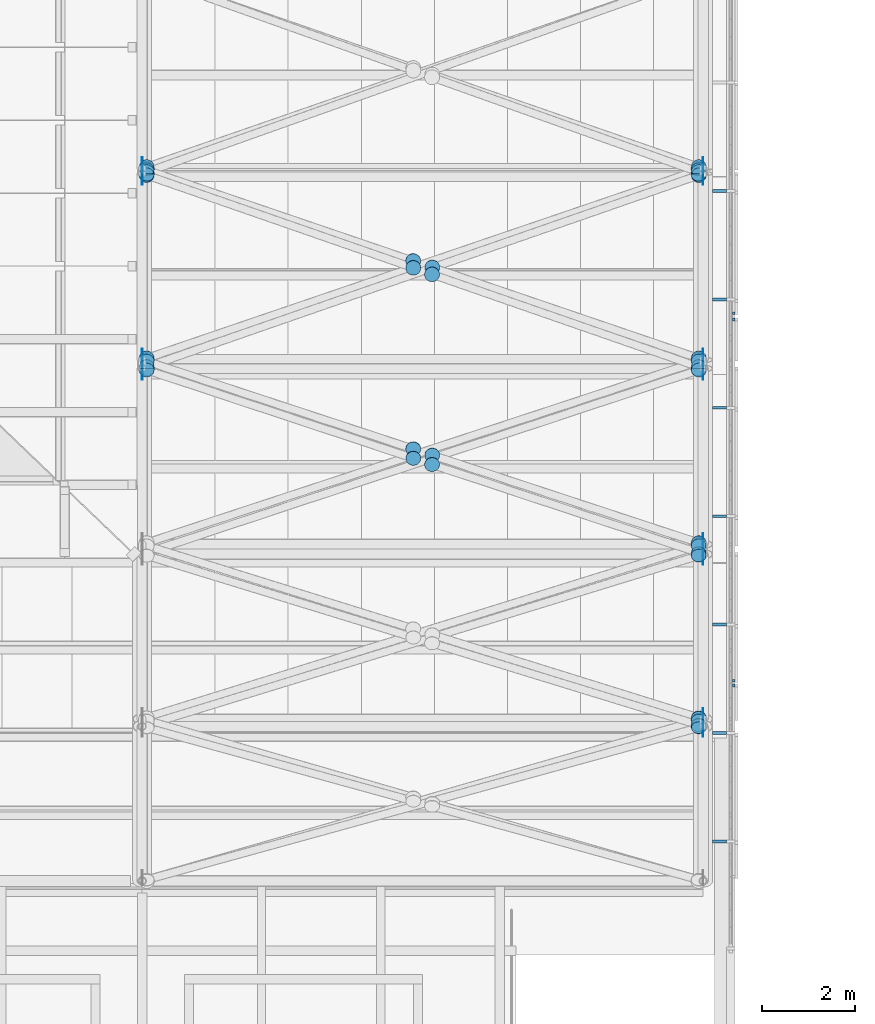
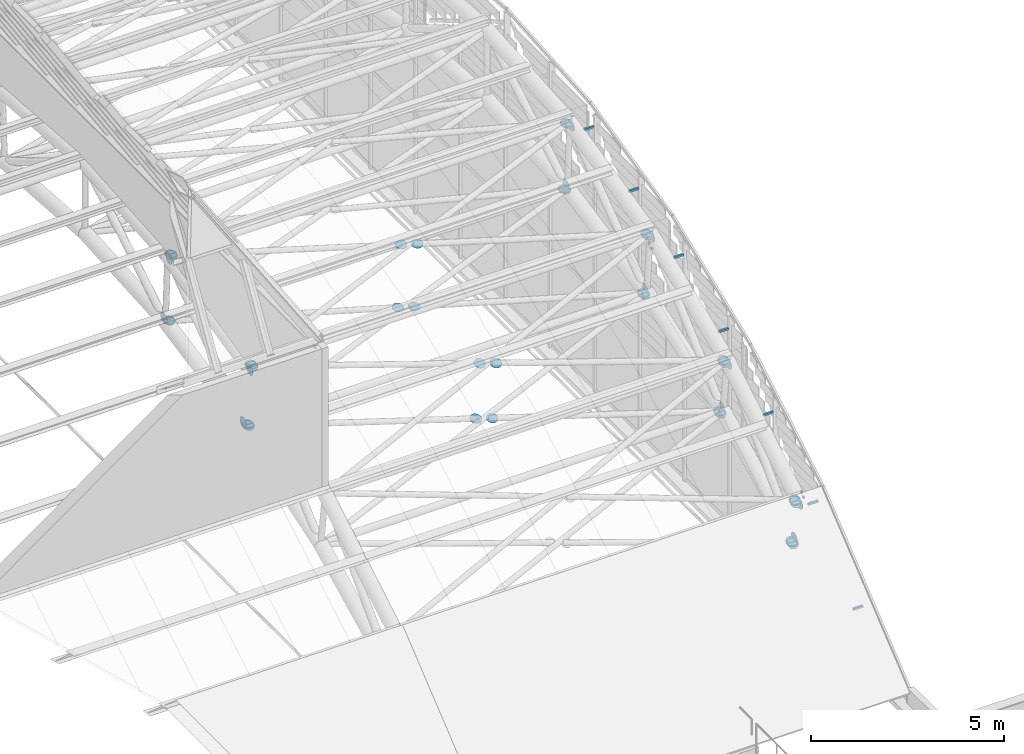
# One storey, part 98 of 110: 67 discrete accessories, 1 element without a shape of its own.
"""IFC4 building model written with IfcOpenShell, lengths in metres."""

from ifc_helpers import new_model, si_unit, direction, frame, origin, origin_2d, place, context, subcontext, project, spatial, rectangle, circle, extrude, material, layer, layer_set, type_object, element, aggregate, save


model = new_model("IFC4")

# Units and contexts
model_context = context("Model", 3, precision=1e-05, world=origin(), true_north=direction((0.0, 1.0)))
body_context = subcontext(model_context, "Body", "Model", "MODEL_VIEW")
ifc_project = project(units=[si_unit("LENGTHUNIT", "METRE"), si_unit("AREAUNIT", "SQUARE_METRE"), si_unit("VOLUMEUNIT", "CUBIC_METRE"), si_unit("PLANEANGLEUNIT", "RADIAN"), si_unit("MASSUNIT", "GRAM", prefix="KILO")], contexts=[model_context])

# Site, building, storey
site_placement = place(None, origin())
site = spatial("IfcSite", under=ifc_project, at=site_placement, CompositionType="ELEMENT")
building_placement = place(site_placement, origin())
building = spatial("IfcBuilding", under=site, at=building_placement, Name="Windward Yard Aquatics Centre", CompositionType="ELEMENT")
storey_placement = place(building_placement, frame((0.0, 0.0, 22.60009765625)))
storey = spatial("IfcBuildingStorey", under=building, at=storey_placement, Name="L05", CompositionType="ELEMENT", Elevation=22.60009765625)

# Discrete accessories
ifc_material_1 = material(Name="Steel S355", Category="steel")
ifc_layer_1 = layer(ifc_material_1, 0.011962890625)
ifc_layer_set_1 = layer_set([ifc_layer_1], Name="Gusset plate 320 mm disc 12 mm")
discrete_accessory_type = type_object("IfcDiscreteAccessoryType", Name="Gusset plate 320 mm disc 12 mm", PredefinedType="USERDEFINED", material=ifc_layer_set_1)
for number, where, z_axis, x_axis, name in (
    (1, (131.993896484375, 52.48779296875, 7.4306640625), (1.0, 0.0, 0.0), (0.0, 1.0, 0.0), "Gusset plate"),
    (2, (131.993896484375, 52.83056640625, 5.568603515625), (1.0, 0.0, 0.0), (0.0, 1.0, 0.0), "Gusset plate"),
    (3, (131.993896484375, 56.6513671875, 8.41015625), (1.0, 0.0, 0.0), (0.0, 1.0, 0.0), "Gusset plate"),
    (4, (131.993896484375, 56.92529296875, 6.374755859375), (1.0, 0.0, 0.0), (0.0, 1.0, 0.0), "Gusset plate"),
    (5, (143.993896484375, 44.841064453125, 3.64306640625), (1.0, 0.0, 0.0), (0.0, 1.0, 0.0), "Gusset plate"),
    (6, (143.993896484375, 45.134765625, 2.390869140625), (1.0, 0.0, 0.0), (0.0, 1.0, 0.0), "Gusset plate"),
    (7, (143.993896484375, 48.520263671875, 5.8291015625), (1.0, 0.0, 0.0), (0.0, 1.0, 0.0), "Gusset plate"),
    (8, (143.993896484375, 48.877685546875, 4.23291015625), (1.0, 0.0, 0.0), (0.0, 1.0, 0.0), "Gusset plate"),
    (9, (143.993896484375, 52.48779296875, 7.4306640625), (1.0, 0.0, 0.0), (0.0, 1.0, 0.0), "Gusset plate"),
    (10, (143.993896484375, 52.83056640625, 5.568603515625), (1.0, 0.0, 0.0), (0.0, 1.0, 0.0), "Gusset plate"),
    (11, (143.993896484375, 56.6513671875, 8.41015625), (1.0, 0.0, 0.0), (0.0, 1.0, 0.0), "Gusset plate"),
    (12, (143.993896484375, 56.92529296875, 6.374755859375), (1.0, 0.0, 0.0), (0.0, 1.0, 0.0), "Gusset plate"),
):
    element("IfcDiscreteAccessory", number, at=place(storey_placement, frame(where, z_axis=z_axis, x_axis=x_axis)), inside=storey, type_object=discrete_accessory_type, Name=name, ObjectType="GUSSET PLATE", PredefinedType="USERDEFINED", context=body_context, shape_type="SweptSolid", body=[
        extrude(circle(Radius=0.159912109375, at=origin_2d()), origin(), (0.0, 0.0, 1.0), 0.01220703125),
    ])
for number, where, z_axis, x_axis, name in (
    (13, (143.89990234375, 44.907470703125, 3.7119140625), (0.0, 0.0, 1.0), (1.0, 0.0, 0.0), "Gusset plate"),
    (14, (143.89990234375, 48.59033203125, 5.89453125), (0.0, 0.0, 1.0), (1.0, 0.0, 0.0), "Gusset plate"),
):
    element("IfcDiscreteAccessory", number, at=place(storey_placement, frame(where, z_axis=z_axis, x_axis=x_axis)), inside=storey, type_object=discrete_accessory_type, Name=name, ObjectType="GUSSET PLATE", PredefinedType="USERDEFINED", context=body_context, shape_type="SweptSolid", body=[
        extrude(circle(Radius=0.159912109375, at=origin_2d()), origin(), (0.0, 0.0, 1.0), 0.011962890625),
    ])
for number, where, z_axis, x_axis, name in (
    (15, (132.10009765625, 52.5625, 7.49072265625), (0.0, 0.0, 1.0), (1.0, 0.0, 0.0), "Gusset plate"),
    (16, (143.89990234375, 52.5625, 7.49072265625), (0.0, 0.0, 1.0), (1.0, 0.0, 0.0), "Gusset plate"),
):
    element("IfcDiscreteAccessory", number, at=place(storey_placement, frame(where, z_axis=z_axis, x_axis=x_axis)), inside=storey, type_object=discrete_accessory_type, Name=name, ObjectType="GUSSET PLATE", PredefinedType="USERDEFINED", context=body_context, shape_type="SweptSolid", body=[
        extrude(circle(Radius=0.159912109375, at=origin_2d()), origin(), (0.0, 0.0, 1.0), 0.01220703125),
    ])
for number, where, z_axis, x_axis, name in (
    (17, (132.10009765625, 56.7314453125, 8.4638671875), (0.0, 0.0, 1.0), (1.0, 0.0, 0.0), "Gusset plate"),
    (18, (143.89990234375, 56.7314453125, 8.4638671875), (0.0, 0.0, 1.0), (1.0, 0.0, 0.0), "Gusset plate"),
):
    element("IfcDiscreteAccessory", number, at=place(storey_placement, frame(where, z_axis=z_axis, x_axis=x_axis)), inside=storey, type_object=discrete_accessory_type, Name=name, ObjectType="GUSSET PLATE", PredefinedType="USERDEFINED", context=body_context, shape_type="SweptSolid", body=[
        extrude(circle(Radius=0.159912109375, at=origin_2d()), origin(), (0.0, 0.0, 1.0), 0.011962890625),
    ])
discrete_accessory_1_placement = place(storey_placement, frame((143.90576171875, 44.877685546875, 3.701171875), z_axis=(0.0, 0.644135745783, -0.764911198117), x_axis=(-1.0, 0.0, 0.0)))
element("IfcDiscreteAccessory", 19, at=discrete_accessory_1_placement, inside=storey, type_object=discrete_accessory_type, Name="Gusset plate", ObjectType="GUSSET PLATE", PredefinedType="USERDEFINED", context=body_context, shape_type="SweptSolid", body=[
    extrude(circle(Radius=0.159912109375, at=origin_2d()), origin(), (0.0, 0.0, 1.0), 0.01220703125),
])
discrete_accessory_2_placement = place(storey_placement, frame((143.90576171875, 48.558349609375, 5.888427734375), z_axis=(0.0, 0.511483859768, -0.85929288441), x_axis=(-1.0, 0.0, 0.0)))
element("IfcDiscreteAccessory", 20, at=discrete_accessory_2_placement, inside=storey, type_object=discrete_accessory_type, Name="Gusset plate", ObjectType="GUSSET PLATE", PredefinedType="USERDEFINED", context=body_context, shape_type="SweptSolid", body=[
    extrude(circle(Radius=0.159912109375, at=origin_2d()), origin(), (0.0, 0.0, 1.0), 0.011962890625),
])
for number, where, z_axis, x_axis, name in (
    (21, (143.90576171875, 44.933349609375, 3.740234375), (0.0, 0.502620457375, -0.864507186684), (-1.0, 0.0, 0.0), "Gusset plate"),
    (22, (143.90576171875, 52.529052734375, 7.489990234375), (0.0, 0.38176015442, -0.92426142649), (-1.0, 0.0, 0.0), "Gusset plate"),
    (23, (132.09423828125, 52.529052734375, 7.489990234375), (0.0, 0.38176015442, -0.92426142649), (-1.0, 0.0, 0.0), "Gusset plate"),
):
    element("IfcDiscreteAccessory", number, at=place(storey_placement, frame(where, z_axis=z_axis, x_axis=x_axis)), inside=storey, type_object=discrete_accessory_type, Name=name, ObjectType="GUSSET PLATE", PredefinedType="USERDEFINED", context=body_context, shape_type="SweptSolid", body=[
        extrude(circle(Radius=0.159912109375, at=origin_2d()), origin(), (0.0, 0.0, 1.0), 0.01220703125),
    ])
discrete_accessory_3_placement = place(storey_placement, frame((137.79931640625, 50.640625, 6.73095703125), z_axis=(0.0, 0.364399348581, -0.931242779706), x_axis=(-1.0, 0.0, 0.0)))
element("IfcDiscreteAccessory", 24, at=discrete_accessory_3_placement, inside=storey, type_object=discrete_accessory_type, Name="Gusset plate", ObjectType="GUSSET PLATE", PredefinedType="USERDEFINED", context=body_context, shape_type="SweptSolid", body=[
    extrude(circle(Radius=0.159912109375, at=origin_2d()), origin(), (0.0, 0.0, 1.0), 0.011962890625),
])
for number, where, z_axis, x_axis, name in (
    (25, (138.20068359375, 50.5078125, 6.677490234375), (0.0, 0.371390676354, -0.928476690885), (-1.0, 0.0, 0.0), "Gusset plate"),
    (26, (143.90576171875, 48.619384765625, 5.91845703125), (0.0, 0.371390676354, -0.928476690885), (-1.0, 0.0, 0.0), "Gusset plate"),
):
    element("IfcDiscreteAccessory", number, at=place(storey_placement, frame(where, z_axis=z_axis, x_axis=x_axis)), inside=storey, type_object=discrete_accessory_type, Name=name, ObjectType="GUSSET PLATE", PredefinedType="USERDEFINED", context=body_context, shape_type="SweptSolid", body=[
        extrude(circle(Radius=0.159912109375, at=origin_2d()), origin(), (0.0, 0.0, 1.0), 0.01171875),
    ])
for number, where, z_axis, x_axis, name in (
    (27, (132.09423828125, 52.593994140625, 7.51025390625), (0.0, 0.223376156329, -0.974732318528), (-1.0, 0.0, 0.0), "Gusset plate"),
    (28, (143.90576171875, 56.697509765625, 8.468017578125), (0.0, 0.223376156329, -0.974732318528), (-1.0, 0.0, 0.0), "Gusset plate"),
    (29, (132.09423828125, 56.697509765625, 8.468017578125), (0.0, 0.223376156329, -0.974732318528), (-1.0, 0.0, 0.0), "Gusset plate"),
    (30, (137.79931640625, 54.71533203125, 8.00537109375), (0.0, 0.223376156329, -0.974732318528), (-1.0, 0.0, 0.0), "Gusset plate"),
    (31, (138.20068359375, 54.575927734375, 7.972900390625), (0.0, 0.223376156329, -0.974732318528), (-1.0, 0.0, 0.0), "Gusset plate"),
    (32, (143.90576171875, 52.593994140625, 7.51025390625), (0.0, 0.223376156329, -0.974732318528), (-1.0, 0.0, 0.0), "Gusset plate"),
    (33, (132.09423828125, 56.7646484375, 8.478271484375), (0.0, 0.06111006328, -0.998131033565), (-1.0, 0.0, 0.0), "Gusset plate"),
    (34, (143.90576171875, 56.7646484375, 8.478271484375), (0.0, 0.06111006328, -0.998131033565), (-1.0, 0.0, 0.0), "Gusset plate"),
    (35, (143.89990234375, 45.064697265625, 2.313720703125), (0.0, 0.0, 1.0), (1.0, 0.0, 0.0), "Gusset plate"),
):
    element("IfcDiscreteAccessory", number, at=place(storey_placement, frame(where, z_axis=z_axis, x_axis=x_axis)), inside=storey, type_object=discrete_accessory_type, Name=name, ObjectType="GUSSET PLATE", PredefinedType="USERDEFINED", context=body_context, shape_type="SweptSolid", body=[
        extrude(circle(Radius=0.159912109375, at=origin_2d()), origin(), (0.0, 0.0, 1.0), 0.011962890625),
    ])
discrete_accessory_4_placement = place(storey_placement, frame((143.89990234375, 48.802734375, 4.160400390625), z_axis=(0.0, 0.0, 1.0), x_axis=(1.0, 0.0, 0.0)))
element("IfcDiscreteAccessory", 36, at=discrete_accessory_4_placement, inside=storey, type_object=discrete_accessory_type, Name="Gusset plate", ObjectType="GUSSET PLATE", PredefinedType="USERDEFINED", context=body_context, shape_type="SweptSolid", body=[
    extrude(circle(Radius=0.159912109375, at=origin_2d()), origin(), (0.0, 0.0, 1.0), 0.01220703125),
])
for number, where, z_axis, x_axis, name in (
    (37, (132.10009765625, 52.750244140625, 5.5029296875), (0.0, 0.0, 1.0), (1.0, 0.0, 0.0), "Gusset plate"),
    (38, (143.89990234375, 52.750244140625, 5.5029296875), (0.0, 0.0, 1.0), (1.0, 0.0, 0.0), "Gusset plate"),
    (39, (132.10009765625, 56.83935546875, 6.317626953125), (0.0, 0.0, 1.0), (1.0, 0.0, 0.0), "Gusset plate"),
    (40, (143.89990234375, 56.83935546875, 6.317626953125), (0.0, 0.0, 1.0), (1.0, 0.0, 0.0), "Gusset plate"),
):
    element("IfcDiscreteAccessory", number, at=place(storey_placement, frame(where, z_axis=z_axis, x_axis=x_axis)), inside=storey, type_object=discrete_accessory_type, Name=name, ObjectType="GUSSET PLATE", PredefinedType="USERDEFINED", context=body_context, shape_type="SweptSolid", body=[
        extrude(circle(Radius=0.159912109375, at=origin_2d()), origin(), (0.0, 0.0, 1.0), 0.011962890625),
    ])
for number, where, z_axis, x_axis, name in (
    (41, (143.905517578125, 45.033935546875, 2.306396484375), (0.0, 0.563961646158, -0.825800981874), (-1.0, 0.0, 0.0), "Gusset plate"),
    (42, (143.905517578125, 48.770751953125, 4.157470703125), (0.0, 0.439210132005, -0.898384360919), (-1.0, 0.0, 0.0), "Gusset plate"),
):
    element("IfcDiscreteAccessory", number, at=place(storey_placement, frame(where, z_axis=z_axis, x_axis=x_axis)), inside=storey, type_object=discrete_accessory_type, Name=name, ObjectType="GUSSET PLATE", PredefinedType="USERDEFINED", context=body_context, shape_type="SweptSolid", body=[
        extrude(circle(Radius=0.159912109375, at=origin_2d()), origin(), (0.0, 0.0, 1.0), 0.01220703125),
    ])
for number, where, z_axis, x_axis, name in (
    (43, (143.905517578125, 45.09130859375, 2.339599609375), (0.0, 0.4472135955, -0.894427191), (-1.0, 0.0, 0.0), "Gusset plate"),
    (44, (143.905517578125, 52.71728515625, 5.50390625), (0.0, 0.328520624941, -0.944496796706), (-1.0, 0.0, 0.0), "Gusset plate"),
    (45, (132.094482421875, 52.71728515625, 5.50390625), (0.0, 0.328520624941, -0.944496796706), (-1.0, 0.0, 0.0), "Gusset plate"),
):
    element("IfcDiscreteAccessory", number, at=place(storey_placement, frame(where, z_axis=z_axis, x_axis=x_axis)), inside=storey, type_object=discrete_accessory_type, Name=name, ObjectType="GUSSET PLATE", PredefinedType="USERDEFINED", context=body_context, shape_type="SweptSolid", body=[
        extrude(circle(Radius=0.159912109375, at=origin_2d()), origin(), (0.0, 0.0, 1.0), 0.011962890625),
    ])
discrete_accessory_5_placement = place(storey_placement, frame((137.796142578125, 50.841552734375, 4.8662109375), z_axis=(0.0, 0.322263797804, -0.94664990605), x_axis=(-1.0, 0.0, 0.0)))
element("IfcDiscreteAccessory", 46, at=discrete_accessory_5_placement, inside=storey, type_object=discrete_accessory_type, Name="Gusset plate", ObjectType="GUSSET PLATE", PredefinedType="USERDEFINED", context=body_context, shape_type="SweptSolid", body=[
    extrude(circle(Radius=0.159912109375, at=origin_2d()), origin(), (0.0, 0.0, 1.0), 0.01220703125),
])
for number, where, z_axis, x_axis, name in (
    (47, (138.203857421875, 50.70751953125, 4.820556640625), (0.0, 0.328520624941, -0.944496796706), (-1.0, 0.0, 0.0), "Gusset plate"),
    (48, (143.905517578125, 48.83203125, 4.182861328125), (0.0, 0.304040173793, -0.952659211219), (-1.0, 0.0, 0.0), "Gusset plate"),
):
    element("IfcDiscreteAccessory", number, at=place(storey_placement, frame(where, z_axis=z_axis, x_axis=x_axis)), inside=storey, type_object=discrete_accessory_type, Name=name, ObjectType="GUSSET PLATE", PredefinedType="USERDEFINED", context=body_context, shape_type="SweptSolid", body=[
        extrude(circle(Radius=0.159912109375, at=origin_2d()), origin(), (0.0, 0.0, 1.0), 0.011962890625),
    ])
discrete_accessory_6_placement = place(storey_placement, frame((132.094482421875, 52.78125, 5.521240234375), z_axis=(0.0, 0.199960011996, -0.97980405878), x_axis=(-1.0, 0.0, 0.0)))
element("IfcDiscreteAccessory", 49, at=discrete_accessory_6_placement, inside=storey, type_object=discrete_accessory_type, Name="Gusset plate", ObjectType="GUSSET PLATE", PredefinedType="USERDEFINED", context=body_context, shape_type="SweptSolid", body=[
    extrude(circle(Radius=0.159912109375, at=origin_2d()), origin(), (0.0, 0.0, 1.0), 0.01220703125),
])
for number, where, z_axis, x_axis, name in (
    (50, (143.905517578125, 56.80615234375, 6.322998046875), (0.0, 0.18428853505, -0.982872186934), (-1.0, 0.0, 0.0), "Gusset plate"),
    (51, (132.094482421875, 56.80615234375, 6.322998046875), (0.0, 0.18428853505, -0.982872186934), (-1.0, 0.0, 0.0), "Gusset plate"),
):
    element("IfcDiscreteAccessory", number, at=place(storey_placement, frame(where, z_axis=z_axis, x_axis=x_axis)), inside=storey, type_object=discrete_accessory_type, Name=name, ObjectType="GUSSET PLATE", PredefinedType="USERDEFINED", context=body_context, shape_type="SweptSolid", body=[
        extrude(circle(Radius=0.159912109375, at=origin_2d()), origin(), (0.0, 0.0, 1.0), 0.011962890625),
    ])
discrete_accessory_7_placement = place(storey_placement, frame((137.796142578125, 54.863037109375, 5.93603515625), z_axis=(0.0, 0.199960011996, -0.97980405878), x_axis=(-1.0, 0.0, 0.0)))
element("IfcDiscreteAccessory", 52, at=discrete_accessory_7_placement, inside=storey, type_object=discrete_accessory_type, Name="Gusset plate", ObjectType="GUSSET PLATE", PredefinedType="USERDEFINED", context=body_context, shape_type="SweptSolid", body=[
    extrude(circle(Radius=0.159912109375, at=origin_2d()), origin(), (0.0, 0.0, 1.0), 0.01220703125),
])
discrete_accessory_8_placement = place(storey_placement, frame((138.203857421875, 54.724365234375, 5.908203125), z_axis=(0.0, 0.18428853505, -0.982872186934), x_axis=(-1.0, 0.0, 0.0)))
element("IfcDiscreteAccessory", 53, at=discrete_accessory_8_placement, inside=storey, type_object=discrete_accessory_type, Name="Gusset plate", ObjectType="GUSSET PLATE", PredefinedType="USERDEFINED", context=body_context, shape_type="SweptSolid", body=[
    extrude(circle(Radius=0.159912109375, at=origin_2d()), origin(), (0.0, 0.0, 1.0), 0.011962890625),
])
discrete_accessory_9_placement = place(storey_placement, frame((143.905517578125, 52.78125, 5.521240234375), z_axis=(0.0, 0.199960011996, -0.97980405878), x_axis=(-1.0, 0.0, 0.0)))
element("IfcDiscreteAccessory", 54, at=discrete_accessory_9_placement, inside=storey, type_object=discrete_accessory_type, Name="Gusset plate", ObjectType="GUSSET PLATE", PredefinedType="USERDEFINED", context=body_context, shape_type="SweptSolid", body=[
    extrude(circle(Radius=0.159912109375, at=origin_2d()), origin(), (0.0, 0.0, 1.0), 0.01220703125),
])
for number, where, z_axis, x_axis, name in (
    (55, (132.094482421875, 56.871826171875, 6.331787109375), (0.0, 0.06111006328, -0.998131033565), (-1.0, 0.0, 0.0), "Gusset plate"),
    (56, (143.905517578125, 56.871826171875, 6.331787109375), (0.0, 0.06111006328, -0.998131033565), (-1.0, 0.0, 0.0), "Gusset plate"),
):
    element("IfcDiscreteAccessory", number, at=place(storey_placement, frame(where, z_axis=z_axis, x_axis=x_axis)), inside=storey, type_object=discrete_accessory_type, Name=name, ObjectType="GUSSET PLATE", PredefinedType="USERDEFINED", context=body_context, shape_type="SweptSolid", body=[
        extrude(circle(Radius=0.159912109375, at=origin_2d()), origin(), (0.0, 0.0, 1.0), 0.011962890625),
    ])

# Curtain wall, discrete accessories
ifc_material_2 = material(Name="Glass and aluminium curtain wall", Category="aluminium")
ifc_layer_2 = layer(ifc_material_2, 0.179931640625)
ifc_layer_set_2 = layer_set([ifc_layer_2], Name="H gable glazing system double glazed 8+16+8")
curtain_wall_type = type_object("IfcCurtainWallType", Name="H gable glazing system double glazed 8+16+8", PredefinedType="NOTDEFINED", material=ifc_layer_set_2)
curtain_wall_placement = place(storey_placement, origin())
curtain_wall = element("IfcCurtainWall", 57, at=curtain_wall_placement, inside=storey, type_object=curtain_wall_type, Name="Gable glazing E", PredefinedType="NOTDEFINED")
discrete_accessory_10_placement = place(storey_placement, frame((144.62255859375, 45.78369140625, 3.0498046875), z_axis=(1.0, 0.0, 0.0), x_axis=(0.0, 1.0, 0.0)))
discrete_accessory_10 = element("IfcDiscreteAccessory", 58, at=discrete_accessory_10_placement, Name="Gable cover strip bracket 2.1", PredefinedType="BRACKET", context=body_context, shape_type="SweptSolid", body=[
    extrude(rectangle(XDim=0.06005859375, YDim=0.06005859375, at=origin_2d()), origin(), (0.0, 0.0, 1.0), 0.057373046875),
])
discrete_accessory_11_placement = place(storey_placement, frame((144.62255859375, 45.882080078125, 3.14990234375), z_axis=(1.0, 0.0, 0.0), x_axis=(0.0, 1.0, 0.0)))
discrete_accessory_11 = element("IfcDiscreteAccessory", 59, at=discrete_accessory_11_placement, Name="Gable cover strip bracket 2.2", PredefinedType="BRACKET", context=body_context, shape_type="SweptSolid", body=[
    extrude(rectangle(XDim=0.06005859375, YDim=0.06005859375, at=origin_2d()), origin(), (0.0, 0.0, 1.0), 0.057373046875),
])
discrete_accessory_12_placement = place(storey_placement, frame((144.62255859375, 53.6123046875, 6.14990234375), z_axis=(1.0, 0.0, 0.0), x_axis=(0.0, 1.0, 0.0)))
discrete_accessory_12 = element("IfcDiscreteAccessory", 60, at=discrete_accessory_12_placement, Name="Gable cover strip bracket 4.1", PredefinedType="BRACKET", context=body_context, shape_type="SweptSolid", body=[
    extrude(rectangle(XDim=0.06005859375, YDim=0.06005859375, at=origin_2d()), origin(), (0.0, 0.0, 1.0), 0.057373046875),
])
discrete_accessory_13_placement = place(storey_placement, frame((144.62255859375, 53.74658203125, 6.25), z_axis=(1.0, 0.0, 0.0), x_axis=(0.0, 1.0, 0.0)))
discrete_accessory_13 = element("IfcDiscreteAccessory", 61, at=discrete_accessory_13_placement, Name="Gable cover strip bracket 4.2", PredefinedType="BRACKET", context=body_context, shape_type="SweptSolid", body=[
    extrude(rectangle(XDim=0.06005859375, YDim=0.06005859375, at=origin_2d()), origin(), (0.0, 0.0, 1.0), 0.057373046875),
])
discrete_accessory_14_placement = place(storey_placement, frame((144.203125, 42.446044921875, 1.695068359375), z_axis=(1.0, 0.0, 0.0), x_axis=(0.0, 1.0, 0.0)))
discrete_accessory_14 = element("IfcDiscreteAccessory", 62, at=discrete_accessory_14_placement, Name="Gable glazing bracket 2", PredefinedType="BRACKET", context=body_context, shape_type="SweptSolid", body=[
    extrude(rectangle(XDim=0.06005859375, YDim=0.06005859375, at=origin_2d()), origin(), (0.0, 0.0, 1.0), 0.296875),
])
discrete_accessory_15_placement = place(storey_placement, frame((144.203125, 44.765380859375, 3.60107421875), z_axis=(1.0, 0.0, 0.0), x_axis=(0.0, 1.0, 0.0)))
discrete_accessory_15 = element("IfcDiscreteAccessory", 63, at=discrete_accessory_15_placement, Name="Gable glazing bracket 3", PredefinedType="BRACKET", context=body_context, shape_type="SweptSolid", body=[
    extrude(rectangle(XDim=0.06005859375, YDim=0.06005859375, at=origin_2d()), origin(), (0.0, 0.0, 1.0), 0.296875),
])
discrete_accessory_16_placement = place(storey_placement, frame((144.203125, 47.08447265625, 5.008056640625), z_axis=(1.0, 0.0, 0.0), x_axis=(0.0, 1.0, 0.0)))
discrete_accessory_16 = element("IfcDiscreteAccessory", 64, at=discrete_accessory_16_placement, Name="Gable glazing bracket 4", PredefinedType="BRACKET", context=body_context, shape_type="SweptSolid", body=[
    extrude(rectangle(XDim=0.06005859375, YDim=0.06005859375, at=origin_2d()), origin(), (0.0, 0.0, 1.0), 0.296875),
])
discrete_accessory_17_placement = place(storey_placement, frame((144.203125, 49.40380859375, 6.227294921875), z_axis=(1.0, 0.0, 0.0), x_axis=(0.0, 1.0, 0.0)))
discrete_accessory_17 = element("IfcDiscreteAccessory", 65, at=discrete_accessory_17_placement, Name="Gable glazing bracket 5", PredefinedType="BRACKET", context=body_context, shape_type="SweptSolid", body=[
    extrude(rectangle(XDim=0.06005859375, YDim=0.06005859375, at=origin_2d()), origin(), (0.0, 0.0, 1.0), 0.296875),
])
discrete_accessory_18_placement = place(storey_placement, frame((144.203125, 51.72314453125, 7.159423828125), z_axis=(1.0, 0.0, 0.0), x_axis=(0.0, 1.0, 0.0)))
discrete_accessory_18 = element("IfcDiscreteAccessory", 66, at=discrete_accessory_18_placement, Name="Gable glazing bracket 6", PredefinedType="BRACKET", context=body_context, shape_type="SweptSolid", body=[
    extrude(rectangle(XDim=0.06005859375, YDim=0.06005859375, at=origin_2d()), origin(), (0.0, 0.0, 1.0), 0.296875),
])
discrete_accessory_19_placement = place(storey_placement, frame((144.203125, 54.042236328125, 7.84228515625), z_axis=(1.0, 0.0, 0.0), x_axis=(0.0, 1.0, 0.0)))
discrete_accessory_19 = element("IfcDiscreteAccessory", 67, at=discrete_accessory_19_placement, Name="Gable glazing bracket 7", PredefinedType="BRACKET", context=body_context, shape_type="SweptSolid", body=[
    extrude(rectangle(XDim=0.06005859375, YDim=0.06005859375, at=origin_2d()), origin(), (0.0, 0.0, 1.0), 0.296875),
])
discrete_accessory_20_placement = place(storey_placement, frame((144.203125, 56.361572265625, 8.383544921875), z_axis=(1.0, 0.0, 0.0), x_axis=(0.0, 1.0, 0.0)))
discrete_accessory_20 = element("IfcDiscreteAccessory", 68, at=discrete_accessory_20_placement, Name="Gable glazing bracket 8", PredefinedType="BRACKET", context=body_context, shape_type="SweptSolid", body=[
    extrude(rectangle(XDim=0.06005859375, YDim=0.06005859375, at=origin_2d()), origin(), (0.0, 0.0, 1.0), 0.296875),
])
aggregate(curtain_wall, [discrete_accessory_10, discrete_accessory_11, discrete_accessory_12, discrete_accessory_13, discrete_accessory_14, discrete_accessory_15, discrete_accessory_16, discrete_accessory_17, discrete_accessory_18, discrete_accessory_19, discrete_accessory_20])

save(model, "model.ifc")
